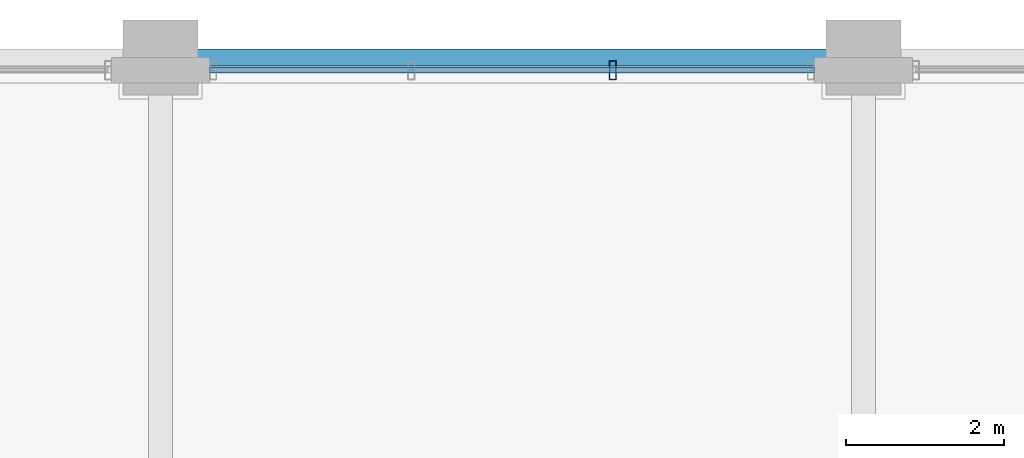
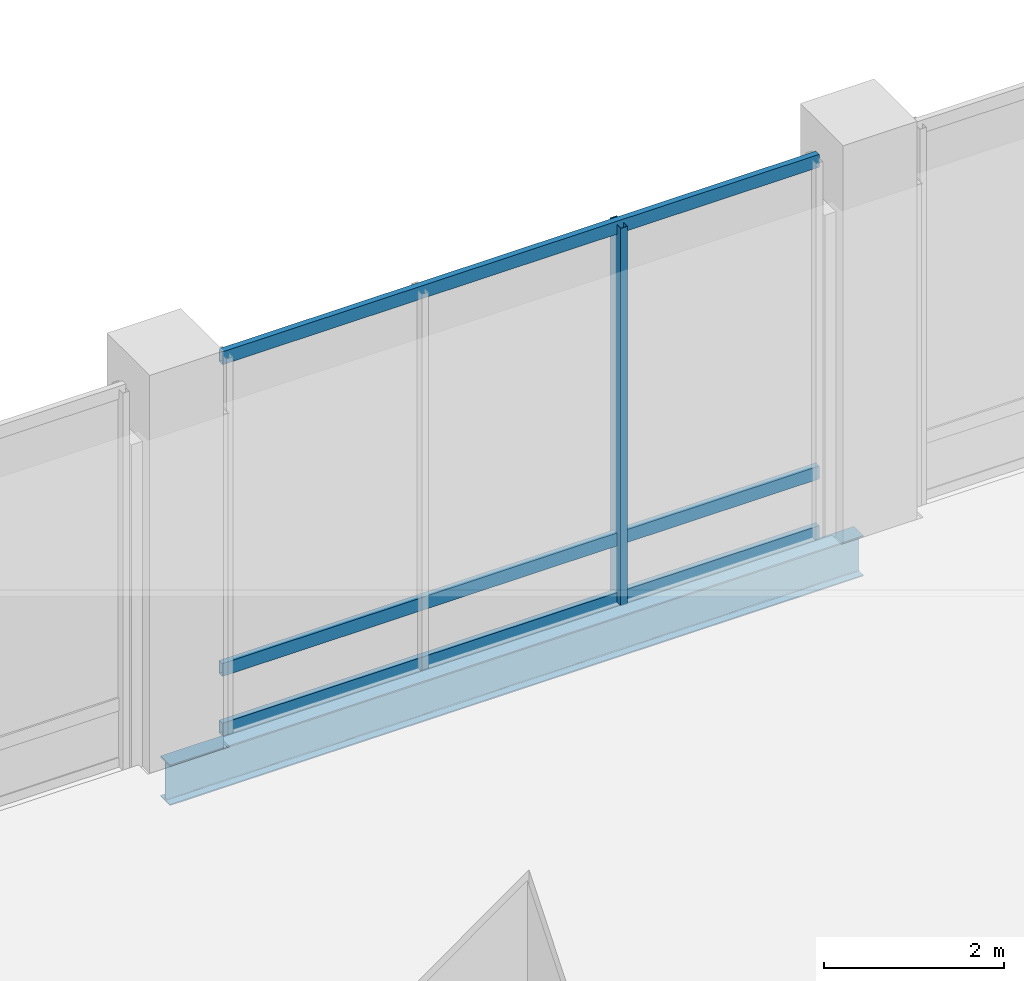
# One storey, part 18 of 39: 4 members, 1 beam, 1 element without a shape of its own.
"""IFC4 building model written with IfcOpenShell, lengths in metres."""

import ifcopenshell
import ifcopenshell.guid

model = None  # the IFC model being written
_history = None  # IfcOwnerHistory: only IFC2X3 demands one
_inside = {}  # id of a spatial element -> (the spatial element, [elements in it])
_under = {}  # id of a project, library or spatial element -> (it, [spatial elements below it])
_declared = {}  # id of a project -> (the project, [libraries it declares])
_typed = {}  # id of a type object -> (the type object, [elements of that type])
_made_of = {}  # id of a material, layer set ... -> (it, [elements and type objects made of it])


def new_model(schema):
    """Start an empty IFC model of exactly this schema.

    Asked for "IFC4X3", IfcOpenShell would pick the latest addendum, in which some entities
    have other attributes; the version numbers below select the first issue.
    IFC2X3 requires an IfcOwnerHistory on every rooted entity: one is made here for all.
    """
    global model, _history
    if schema == "IFC4X3":
        model = ifcopenshell.file(schema_version=(4, 3, 0, 0))
    else:
        model = ifcopenshell.file(schema=schema)
    _inside.clear()
    _under.clear()
    _declared.clear()
    _typed.clear()
    _made_of.clear()
    _history = None
    if model.schema == "IFC2X3":
        org = make("IfcOrganization", Name="unknown")
        user = make(
            "IfcPersonAndOrganization",
            ThePerson=make("IfcPerson", FamilyName="unknown"),
            TheOrganization=org,
        )
        app = make(
            "IfcApplication",
            ApplicationDeveloper=org,
            Version="unknown",
            ApplicationFullName="unknown",
            ApplicationIdentifier="unknown",
        )
        _history = make(
            "IfcOwnerHistory",
            OwningUser=user,
            OwningApplication=app,
            ChangeAction="ADDED",
            CreationDate=0,
        )
    return model


def make(cls, **values):
    """One entity of the class cls with the attributes given. An attribute that is None is left unset."""
    return model.create_entity(
        cls, **{name: value for name, value in values.items() if value is not None}
    )


def rooted(cls, **values):
    """An entity with a GlobalId (a new one), such as an element, a storey or a relation."""
    return make(cls, GlobalId=ifcopenshell.guid.new(), OwnerHistory=_history, **values)


def si_unit(unit_type, name, prefix=None):
    """IfcSIUnit, for example si_unit("LENGTHUNIT", "METRE", prefix="MILLI")."""
    return make("IfcSIUnit", UnitType=unit_type, Prefix=prefix, Name=name)


def assignment(units):
    """IfcUnitAssignment: the units of a project."""
    return None if units is None else make("IfcUnitAssignment", Units=units)


def point(xyz):
    """IfcCartesianPoint."""
    return None if xyz is None else make("IfcCartesianPoint", Coordinates=xyz)


def direction(xyz):
    """IfcDirection."""
    return None if xyz is None else make("IfcDirection", DirectionRatios=xyz)


def frame(location, z_axis=None, x_axis=None):
    """IfcAxis2Placement3D, a coordinate frame: its origin and axes. An axis left out is left unset."""
    return make(
        "IfcAxis2Placement3D",
        Location=point(location),
        Axis=direction(z_axis),
        RefDirection=direction(x_axis),
    )


def frame_2d(location, x_axis=None):
    """IfcAxis2Placement2D, a coordinate frame in the plane: its origin and x axis."""
    return make(
        "IfcAxis2Placement2D", Location=point(location), RefDirection=direction(x_axis)
    )


def origin():
    """The frame at (0, 0, 0) with its axes left unset."""
    return frame((0.0, 0.0, 0.0))


def origin_2d():
    """The frame at (0, 0) in the plane with its x axis left unset."""
    return frame_2d((0.0, 0.0))


def place(relative_to, where):
    """IfcLocalPlacement: puts the frame where relative to a parent placement (None: the world)."""
    return make(
        "IfcLocalPlacement", PlacementRelTo=relative_to, RelativePlacement=where
    )


def context(
    kind, dimensions, precision=None, world=None, true_north=None, identifier=None
):
    """IfcGeometricRepresentationContext, for example the 3D "Model" context."""
    return make(
        "IfcGeometricRepresentationContext",
        ContextIdentifier=identifier,
        ContextType=kind,
        CoordinateSpaceDimension=dimensions,
        Precision=precision,
        WorldCoordinateSystem=world,
        TrueNorth=true_north,
    )


def subcontext(parent, identifier, kind, view, scale=None):
    """IfcGeometricRepresentationSubContext, for example "Body" below "Model"."""
    return make(
        "IfcGeometricRepresentationSubContext",
        ContextIdentifier=identifier,
        ContextType=kind,
        ParentContext=parent,
        TargetScale=scale,
        TargetView=view,
    )


def project(units=None, contexts=None):
    """IfcProject with its units and contexts."""
    return rooted(
        "IfcProject",
        Name="project",
        RepresentationContexts=contexts,
        UnitsInContext=assignment(units),
    )


def spatial(cls, under=None, at=None, **own):
    """A site, building, storey or space (cls), placed at a placement, below another one or the project."""
    s = rooted(cls, ObjectPlacement=at, **own)
    if under is not None:
        _under.setdefault(under.id(), (under, []))[1].append(s)
    return s


def profile(cls, at=None, kind="AREA", **sizes):
    """A parametric profile (cls). Its sizes go by their IFC names, for example OverallWidth=200.0."""
    return make(cls, ProfileType=kind, Position=at, **sizes)


def hollow_rectangle(**sizes):
    """IfcRectangleHollowProfileDef."""
    return profile("IfcRectangleHollowProfileDef", **sizes)


def i_section(**sizes):
    """IfcIShapeProfileDef."""
    return profile("IfcIShapeProfileDef", **sizes)


def extrude(swept, where, along, depth):
    """IfcExtrudedAreaSolid: the profile swept, set in the frame where, extruded along a direction by depth."""
    return make(
        "IfcExtrudedAreaSolid",
        SweptArea=swept,
        Position=where,
        ExtrudedDirection=direction(along),
        Depth=depth,
    )


def shape(context_of_items, identifier, shape_type, items):
    """IfcShapeRepresentation: the items that make up one representation, for example the "Body"."""
    return make(
        "IfcShapeRepresentation",
        ContextOfItems=context_of_items,
        RepresentationIdentifier=identifier,
        RepresentationType=shape_type,
        Items=items,
    )


def material(Name=None, Category=None):
    """IfcMaterial."""
    return make("IfcMaterial", Name=Name, Category=Category)


def material_profile(
    of_material, cross_section, Name=None, Category=None, Priority=None
):
    """IfcMaterialProfile: a cross section and its material."""
    return make(
        "IfcMaterialProfile",
        Name=Name,
        Material=of_material,
        Profile=cross_section,
        Priority=Priority,
        Category=Category,
    )


def profile_set(profiles, Name=None, composite=None):
    """IfcMaterialProfileSet."""
    return make(
        "IfcMaterialProfileSet",
        Name=Name,
        MaterialProfiles=profiles,
        CompositeProfile=composite,
    )


def made_of(thing, what):
    """Note that an element or type object is made of a material, layer set ...; save() writes the relation."""
    if what is not None:
        _made_of.setdefault(what.id(), (what, []))[1].append(thing)
    return thing


def type_object(cls, material=None, **own):
    """A type object (cls), such as IfcWallType, which elements share."""
    return made_of(rooted(cls, **own), material)


def element(
    cls,
    number,
    at=None,
    inside=None,
    cuts=None,
    type_object=None,
    material=None,
    context=None,
    identifier="Body",
    shape_type=None,
    held_by="IfcProductDefinitionShape",
    body=None,
    shapes=None,
    **own,
):
    """One element of the class cls, such as IfcWall. Its Tag is "e" and its number.

    at: its placement. inside: the storey or other place that contains it. cuts: it is an
    opening in that element (IfcRelVoidsElement). A single representation is given by context,
    identifier, shape_type and body (its items); several are given by shapes. held_by: the class
    of the entity that holds the representations. save() writes the other relations.
    """
    e = rooted(cls, Tag="e%d" % number, ObjectPlacement=at, **own)
    if body is not None:
        shapes = [shape(context, identifier, shape_type, body)]
    if shapes is not None:
        e.Representation = make(held_by, Representations=shapes)
    if inside is not None:
        _inside.setdefault(inside.id(), (inside, []))[1].append(e)
    if cuts is not None:
        rooted(
            "IfcRelVoidsElement", RelatingBuildingElement=cuts, RelatedOpeningElement=e
        )
    if type_object is not None:
        _typed.setdefault(type_object.id(), (type_object, []))[1].append(e)
    return made_of(e, material)


def aggregate(whole, parts):
    """IfcRelAggregates: a whole, such as a stair, and the parts it consists of."""
    return rooted("IfcRelAggregates", RelatingObject=whole, RelatedObjects=parts)


def save(model, path):
    """Write the relations noted so far, then the file.

    IfcRelAggregates (storeys below a building ...), IfcRelContainedInSpatialStructure (elements
    in a storey), IfcRelDefinesByType, IfcRelAssociatesMaterial and IfcRelDeclares: one each for
    every whole, place, type object, material and project.
    """
    for whole, parts in _under.values():
        aggregate(whole, parts)
    for where, things in _inside.values():
        rooted(
            "IfcRelContainedInSpatialStructure",
            RelatedElements=things,
            RelatingStructure=where,
        )
    for kind, things in _typed.values():
        rooted("IfcRelDefinesByType", RelatedObjects=things, RelatingType=kind)
    for what, things in _made_of.values():
        rooted("IfcRelAssociatesMaterial", RelatedObjects=things, RelatingMaterial=what)
    for by, libraries in _declared.values():
        rooted("IfcRelDeclares", RelatingContext=by, RelatedDefinitions=libraries)
    model.write(path)


model = new_model("IFC4")

# Units and contexts
model_context = context("Model", 3, precision=1e-05, world=origin(), true_north=direction((0.0, 1.0)))
body_context = subcontext(model_context, "Body", "Model", "MODEL_VIEW")
ifc_project = project(units=[si_unit("LENGTHUNIT", "METRE"), si_unit("AREAUNIT", "SQUARE_METRE"), si_unit("VOLUMEUNIT", "CUBIC_METRE"), si_unit("PLANEANGLEUNIT", "RADIAN"), si_unit("MASSUNIT", "GRAM", prefix="KILO")], contexts=[model_context])

# Site, building, storey
site_placement = place(None, origin())
site = spatial("IfcSite", under=ifc_project, at=site_placement, CompositionType="ELEMENT")
building_placement = place(site_placement, origin())
building = spatial("IfcBuilding", under=site, at=building_placement, Name="Punatoya Terracotta Tower", CompositionType="ELEMENT")
storey_placement = place(building_placement, frame((0.0, 0.0, 11.39990234375)))
storey = spatial("IfcBuildingStorey", under=building, at=storey_placement, Name="L02", CompositionType="ELEMENT", Elevation=11.39990234375)

# Beam
ifc_material_1 = material(Name="Steel S355", Category="steel")
ifc_material_profile_1 = material_profile(ifc_material_1, i_section(OverallWidth=0.2099609375, OverallDepth=0.550048828125, WebThickness=0.010986328125, FlangeThickness=0.01708984375, FilletRadius=0.01806640625, at=origin_2d()))
ifc_profile_set_1 = profile_set([ifc_material_profile_1], Name="Steel S355")
beam_type = type_object("IfcBeamType", Name="BM-SPN-550", PredefinedType="SPANDREL", material=ifc_profile_set_1)
beam_placement = place(storey_placement, frame((19.10009765625, 25.0, -0.554931640625), z_axis=(1.0, 0.0, 0.0), x_axis=(0.0, 1.0, 0.0)))
element("IfcBeam", 1, at=beam_placement, inside=storey, type_object=beam_type, Name="BM-L02-HE1", PredefinedType="SPANDREL", context=body_context, shape_type="SweptSolid", body=[
    extrude(i_section(OverallWidth=0.2099609375, OverallDepth=0.550048828125, WebThickness=0.010986328125, FlangeThickness=0.01708984375, FilletRadius=0.01806640625, at=origin_2d()), origin(), (0.0, 0.0, 1.0), 8.89990234375),
])

# Curtain wall, members
ifc_material_2 = material(Name="Aluminium 6063-T6 + Double Low-E Glass", Category="aluminium")
curtain_wall_type = type_object("IfcCurtainWallType", Name="CW-POD", PredefinedType="NOTDEFINED", material=ifc_material_2)
curtain_wall_placement = place(storey_placement, origin())
curtain_wall = element("IfcCurtainWall", 2, at=curtain_wall_placement, inside=storey, type_object=curtain_wall_type, Name="L02 Curtain Wall CWP-L02-N6", PredefinedType="NOTDEFINED")
ifc_material_3 = material(Name="Aluminium 6063-T6", Category="aluminium")
ifc_material_profile_2 = material_profile(ifc_material_3, hollow_rectangle(XDim=0.0849609375, YDim=0.239990234375, WallThickness=0.0048828125, at=origin_2d()))
ifc_profile_set_2 = profile_set([ifc_material_profile_2], Name="Aluminium 6063-T6")
member_type_1 = type_object("IfcMemberType", Name="CW-MUL-POD", PredefinedType="MULLION", material=ifc_profile_set_2)
member_1_placement = place(storey_placement, frame((24.82666015625, 24.840087890625, 0.0), z_axis=(0.0, 0.0, 1.0), x_axis=(1.0, 0.0, 0.0)))
member_1 = element("IfcMember", 3, at=member_1_placement, type_object=member_type_1, Name="CWP-L02-N6 Mullion 01", PredefinedType="MULLION", context=body_context, shape_type="SweptSolid", body=[
    extrude(hollow_rectangle(XDim=0.0849609375, YDim=0.239990234375, WallThickness=0.0048828125, at=origin_2d()), origin(), (0.0, 0.0, 1.0), 5.1201171875),
])
ifc_material_profile_3 = material_profile(ifc_material_3, hollow_rectangle(XDim=0.074951171875, YDim=0.175048828125, WallThickness=0.00439453125, at=origin_2d()))
ifc_profile_set_3 = profile_set([ifc_material_profile_3], Name="Aluminium 6063-T6")
member_type_2 = type_object("IfcMemberType", Name="CW-TRN-POD", PredefinedType="USERDEFINED", material=ifc_profile_set_3)
member_2_placement = place(storey_placement, frame((27.3798828125, 24.840087890625, 0.0400390625), z_axis=(-1.0, 0.0, 0.0), x_axis=(0.0, -1.0, 0.0)))
member_2 = element("IfcMember", 4, at=member_2_placement, type_object=member_type_2, Name="CWP-L02-N6 Transom 1", ObjectType="TRANSOM", PredefinedType="USERDEFINED", context=body_context, shape_type="SweptSolid", body=[
    extrude(hollow_rectangle(XDim=0.074951171875, YDim=0.175048828125, WallThickness=0.00439453125, at=origin_2d()), origin(), (0.0, 0.0, 1.0), 7.659912109375),
])
member_3_placement = place(storey_placement, frame((27.3798828125, 24.840087890625, 0.85009765625), z_axis=(-1.0, 0.0, 0.0), x_axis=(0.0, -1.0, 0.0)))
member_3 = element("IfcMember", 5, at=member_3_placement, type_object=member_type_2, Name="CWP-L02-N6 Transom 2", ObjectType="TRANSOM", PredefinedType="USERDEFINED", context=body_context, shape_type="SweptSolid", body=[
    extrude(hollow_rectangle(XDim=0.074951171875, YDim=0.175048828125, WallThickness=0.00439453125, at=origin_2d()), origin(), (0.0, 0.0, 1.0), 7.659912109375),
])
member_4_placement = place(storey_placement, frame((27.3798828125, 24.840087890625, 5.080078125), z_axis=(-1.0, 0.0, 0.0), x_axis=(0.0, -1.0, 0.0)))
member_4 = element("IfcMember", 6, at=member_4_placement, type_object=member_type_2, Name="CWP-L02-N6 Transom 3", ObjectType="TRANSOM", PredefinedType="USERDEFINED", context=body_context, shape_type="SweptSolid", body=[
    extrude(hollow_rectangle(XDim=0.074951171875, YDim=0.175048828125, WallThickness=0.00439453125, at=origin_2d()), origin(), (0.0, 0.0, 1.0), 7.659912109375),
])
aggregate(curtain_wall, [member_1, member_2, member_3, member_4])

save(model, "model.ifc")
